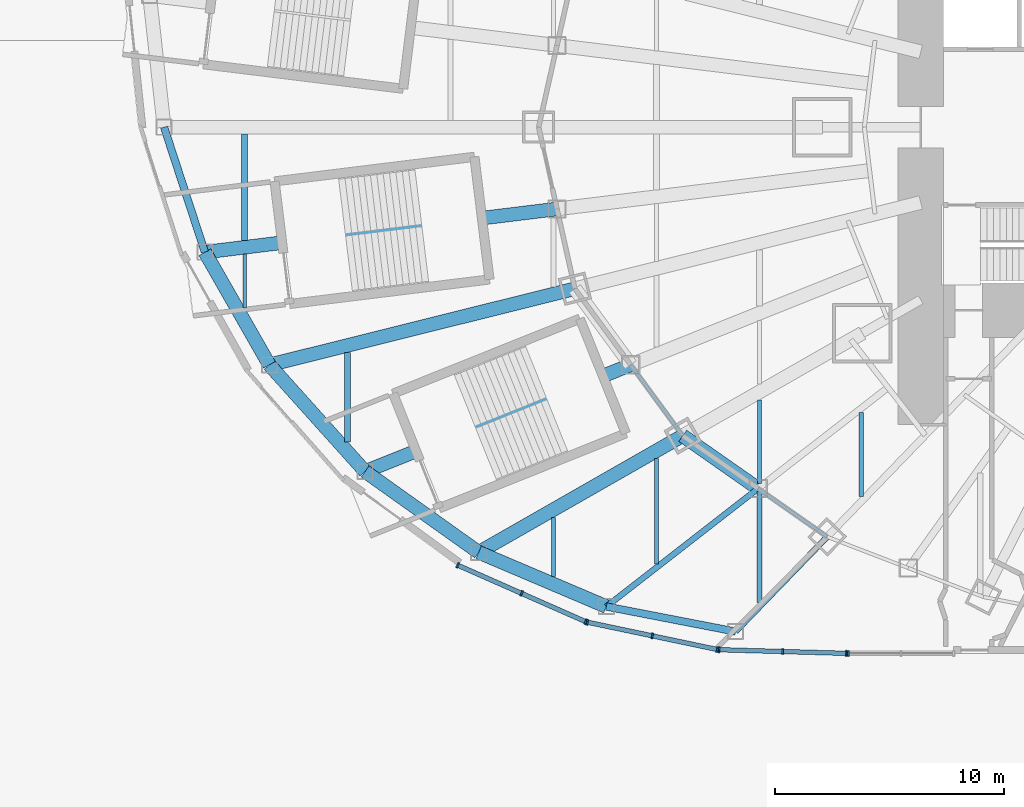
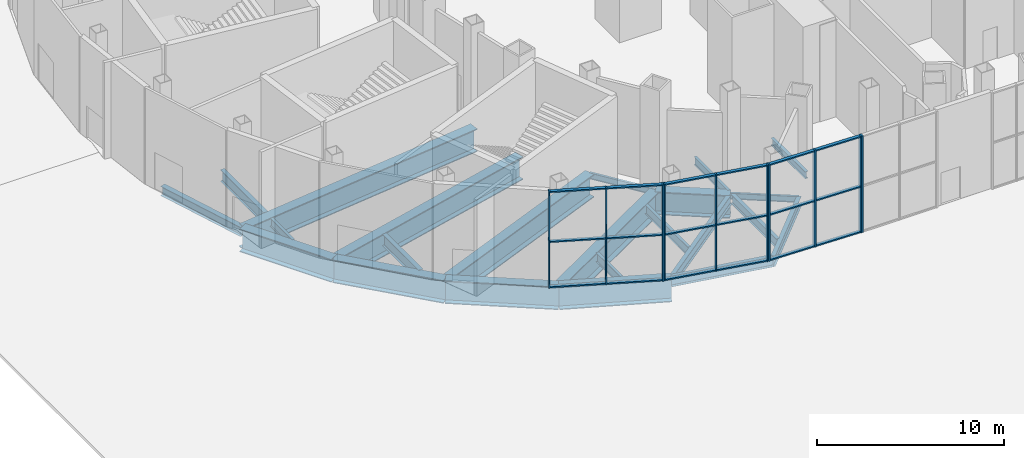
# One storey, part 2 of 47: 28 members, 23 beams, 4 elements without a shape of their own.
"""IFC4 building model written with IfcOpenShell, lengths in metres."""

from ifc_helpers import new_model, si_unit, direction, frame, origin, origin_2d, place, context, subcontext, project, spatial, rectangle, i_section, extrude, material, material_profile, profile_set, type_object, element, aggregate, save


model = new_model("IFC4")

# Units and contexts
model_context = context("Model", 3, precision=1e-05, world=origin(), true_north=direction((0.0, 1.0)))
body_context = subcontext(model_context, "Body", "Model", "MODEL_VIEW")
ifc_project = project(units=[si_unit("LENGTHUNIT", "METRE"), si_unit("AREAUNIT", "SQUARE_METRE"), si_unit("VOLUMEUNIT", "CUBIC_METRE"), si_unit("PLANEANGLEUNIT", "RADIAN"), si_unit("MASSUNIT", "GRAM", prefix="KILO")], contexts=[model_context])

# Site, building, storey
site_placement = place(None, origin())
site = spatial("IfcSite", under=ifc_project, at=site_placement, CompositionType="ELEMENT")
building_placement = place(site_placement, origin())
building = spatial("IfcBuilding", under=site, at=building_placement, Name="Lantaw Convention Tower", CompositionType="ELEMENT")
storey_placement = place(building_placement, origin())
storey = spatial("IfcBuildingStorey", under=building, at=storey_placement, Name="L00", CompositionType="ELEMENT", Elevation=0.0)

# Beams
ifc_material_1 = material(Name="Steel ASTM A572 Grade 50", Category="steel")
ifc_material_profile_1 = material_profile(ifc_material_1, i_section(OverallWidth=0.60009765625, OverallDepth=1.5, WebThickness=0.02490234375, FlangeThickness=0.06005859375, at=origin_2d()), Name="PG1500X600X25X60")
ifc_profile_set_1 = profile_set([ifc_material_profile_1], Name="Steel ASTM A572 Grade 50")
beam_type_1 = type_object("IfcBeamType", Name="Beam E PG1500X600X25X60", PredefinedType="SPANDREL", material=ifc_profile_set_1)
beam_1_placement = place(storey_placement, frame((-23.60498046875, -13.488525390625, -1.199951171875), z_axis=(0.819442856133, -0.573160889744, 0.0), x_axis=(0.573160889744, 0.819442856133, 0.0)))
element("IfcBeam", 1, at=beam_1_placement, inside=storey, type_object=beam_type_1, Name="Edge beam 15", PredefinedType="SPANDREL", context=body_context, shape_type="SweptSolid", body=[
    extrude(i_section(OverallWidth=0.60009765625, OverallDepth=1.5, WebThickness=0.02490234375, FlangeThickness=0.06005859375, at=origin_2d()), origin(), (0.0, 0.0, 1.0), 4.022705078125),
])
beam_2_placement = place(storey_placement, frame((-44.488525390625, -5.46240234375, -1.199951171875), z_axis=(0.496180629465, -0.868219317306, 0.0), x_axis=(0.868219317306, 0.496180629465, 0.0)))
element("IfcBeam", 2, at=beam_2_placement, inside=storey, type_object=beam_type_1, Name="Podium edge beam B12", PredefinedType="SPANDREL", context=body_context, shape_type="SweptSolid", body=[
    extrude(i_section(OverallWidth=0.60009765625, OverallDepth=1.5, WebThickness=0.02490234375, FlangeThickness=0.06005859375, at=origin_2d()), origin(), (0.0, 0.0, 1.0), 5.67578125),
])
beam_3_placement = place(storey_placement, frame((-41.67236328125, -10.39013671875, -1.199951171875), z_axis=(0.668363614772, -0.74383471178, 0.0), x_axis=(0.74383471178, 0.668363614772, 0.0)))
element("IfcBeam", 3, at=beam_3_placement, inside=storey, type_object=beam_type_1, Name="Podium edge beam R13", PredefinedType="SPANDREL", context=body_context, shape_type="SweptSolid", body=[
    extrude(i_section(OverallWidth=0.60009765625, OverallDepth=1.5, WebThickness=0.02490234375, FlangeThickness=0.06005859375, at=origin_2d()), origin(), (0.0, 0.0, 1.0), 6.2626953125),
])
beam_4_placement = place(storey_placement, frame((-37.486572265625, -15.048583984375, -1.199951171875), z_axis=(0.814722795246, -0.579850641895, 0.0), x_axis=(0.579850641895, 0.814722795246, 0.0)))
element("IfcBeam", 4, at=beam_4_placement, inside=storey, type_object=beam_type_1, Name="Podium edge beam B13", PredefinedType="SPANDREL", context=body_context, shape_type="SweptSolid", body=[
    extrude(i_section(OverallWidth=0.60009765625, OverallDepth=1.5, WebThickness=0.02490234375, FlangeThickness=0.06005859375, at=origin_2d()), origin(), (0.0, 0.0, 1.0), 6.095458984375),
])
beam_5_placement = place(storey_placement, frame((-32.5205078125, -18.5830078125, -1.199951171875), z_axis=(0.920324392734, -0.391155994636, 0.0), x_axis=(0.391155994636, 0.920324392734, 0.0)))
element("IfcBeam", 5, at=beam_5_placement, inside=storey, type_object=beam_type_1, Name="Podium edge beam R14", PredefinedType="SPANDREL", context=body_context, shape_type="SweptSolid", body=[
    extrude(i_section(OverallWidth=0.60009765625, OverallDepth=1.5, WebThickness=0.02490234375, FlangeThickness=0.06005859375, at=origin_2d()), origin(), (0.0, 0.0, 1.0), 6.060546875),
])
ifc_material_2 = material(Name="Steel ASTM A992", Category="steel")
ifc_material_profile_2 = material_profile(ifc_material_2, i_section(OverallWidth=0.140380859375, OverallDepth=0.40380859375, WebThickness=0.007080078125, FlangeThickness=0.01123046875, FilletRadius=0.01025390625, at=origin_2d()), Name="W16X31")
ifc_profile_set_2 = profile_set([ifc_material_profile_2], Name="Steel ASTM A992")
beam_type_2 = type_object("IfcBeamType", Name="Beam E W16X31", PredefinedType="SPANDREL", material=ifc_profile_set_2)
beam_6_placement = place(storey_placement, frame((-25.8779296875, -10.388427734375, -0.65185546875), z_axis=(0.591286566758, -0.806461527893, 0.0), x_axis=(0.806461527893, 0.591286566758, 0.0)))
element("IfcBeam", 6, at=beam_6_placement, inside=storey, type_object=beam_type_2, Name="Edge beam 14", PredefinedType="SPANDREL", context=body_context, shape_type="SweptSolid", body=[
    extrude(i_section(OverallWidth=0.140380859375, OverallDepth=0.40380859375, WebThickness=0.007080078125, FlangeThickness=0.01123046875, FilletRadius=0.01025390625, at=origin_2d()), origin(), (0.0, 0.0, 1.0), 3.843994140625),
])
beam_7_placement = place(storey_placement, frame((-20.30859375, -15.794189453125, -0.65185546875), z_axis=(0.819409395821, -0.573208724672, 0.0), x_axis=(0.573208724672, 0.819409395821, 0.0)))
element("IfcBeam", 7, at=beam_7_placement, inside=storey, type_object=beam_type_2, Name="Edge beam 15", PredefinedType="SPANDREL", context=body_context, shape_type="SweptSolid", body=[
    extrude(i_section(OverallWidth=0.140380859375, OverallDepth=0.40380859375, WebThickness=0.007080078125, FlangeThickness=0.01123046875, FilletRadius=0.01025390625, at=origin_2d()), origin(), (0.0, 0.0, 1.0), 3.682861328125),
])
ifc_material_profile_3 = material_profile(ifc_material_2, i_section(OverallWidth=0.3251953125, OverallDepth=0.612060546875, WebThickness=0.0126953125, FlangeThickness=0.01904296875, FilletRadius=0.0126953125, at=origin_2d()), Name="W24X104")
ifc_profile_set_3 = profile_set([ifc_material_profile_3], Name="Steel ASTM A992")
beam_type_3 = type_object("IfcBeamType", Name="Beam E W24X104", PredefinedType="SPANDREL", material=ifc_profile_set_3)
beam_8_placement = place(storey_placement, frame((-46.2724609375, 0.0, -0.756103515625), z_axis=(0.310448009473, -0.950590360468, 0.0), x_axis=(0.950590360468, 0.310448009473, 0.0)))
element("IfcBeam", 8, at=beam_8_placement, inside=storey, type_object=beam_type_3, Name="Podium edge beam R12", PredefinedType="SPANDREL", context=body_context, shape_type="SweptSolid", body=[
    extrude(i_section(OverallWidth=0.3251953125, OverallDepth=0.612060546875, WebThickness=0.0126953125, FlangeThickness=0.01904296875, FilletRadius=0.0126953125, at=origin_2d()), origin(), (0.0, 0.0, 1.0), 5.746337890625),
])
beam_9_placement = place(storey_placement, frame((-26.94287109375, -20.95361328125, -0.756103515625), z_axis=(0.981786485539, -0.18998762279, 0.0), x_axis=(0.18998762279, 0.981786485539, 0.0)))
element("IfcBeam", 9, at=beam_9_placement, inside=storey, type_object=beam_type_3, Name="Podium edge beam B14", PredefinedType="SPANDREL", context=body_context, shape_type="SweptSolid", body=[
    extrude(i_section(OverallWidth=0.3251953125, OverallDepth=0.612060546875, WebThickness=0.0126953125, FlangeThickness=0.01904296875, FilletRadius=0.0126953125, at=origin_2d()), origin(), (0.0, 0.0, 1.0), 5.7568359375),
])
ifc_material_profile_4 = material_profile(ifc_material_2, i_section(OverallWidth=0.1904296875, OverallDepth=0.457275390625, WebThickness=0.009033203125, FlangeThickness=0.014404296875, FilletRadius=0.01025390625, at=origin_2d()), Name="W18X50")
ifc_profile_set_4 = profile_set([ifc_material_profile_4], Name="Steel ASTM A992")
beam_type_4 = type_object("IfcBeamType", Name="Beam J W18X50", PredefinedType="JOIST", material=ifc_profile_set_4)
beam_10_placement = place(storey_placement, frame((-15.800048828125, -16.14013671875, -0.6787109375), z_axis=(0.0, 1.0, 0.0), x_axis=(-1.0, 0.0, 0.0)))
element("IfcBeam", 10, at=beam_10_placement, inside=storey, type_object=beam_type_4, Name="Floor joist", PredefinedType="JOIST", context=body_context, shape_type="SweptSolid", body=[
    extrude(i_section(OverallWidth=0.1904296875, OverallDepth=0.457275390625, WebThickness=0.009033203125, FlangeThickness=0.014404296875, FilletRadius=0.01025390625, at=origin_2d()), origin(), (0.0, 0.0, 1.0), 3.667236328125),
])
ifc_material_profile_5 = material_profile(ifc_material_2, i_section(OverallWidth=0.1650390625, OverallDepth=0.52587890625, WebThickness=0.0087890625, FlangeThickness=0.011474609375, FilletRadius=0.0126953125, at=origin_2d()), Name="W21X44")
ifc_profile_set_5 = profile_set([ifc_material_profile_5], Name="Steel ASTM A992")
beam_type_5 = type_object("IfcBeamType", Name="Beam J W21X44", PredefinedType="JOIST", material=ifc_profile_set_5)
beam_11_placement = place(storey_placement, frame((-20.25, -15.5634765625, -0.712890625), z_axis=(0.0, 1.0, 0.0), x_axis=(-1.0, 0.0, 0.0)))
element("IfcBeam", 11, at=beam_11_placement, inside=storey, type_object=beam_type_5, Name="Floor joist", PredefinedType="JOIST", context=body_context, shape_type="SweptSolid", body=[
    extrude(i_section(OverallWidth=0.1650390625, OverallDepth=0.52587890625, WebThickness=0.0087890625, FlangeThickness=0.011474609375, FilletRadius=0.0126953125, at=origin_2d()), origin(), (0.0, 0.0, 1.0), 3.646484375),
])
ifc_material_profile_6 = material_profile(ifc_material_2, i_section(OverallWidth=0.165771484375, OverallDepth=0.5283203125, WebThickness=0.009765625, FlangeThickness=0.013671875, FilletRadius=0.012939453125, at=origin_2d()), Name="W21X50")
ifc_profile_set_6 = profile_set([ifc_material_profile_6], Name="Steel ASTM A992")
beam_type_6 = type_object("IfcBeamType", Name="Beam J W21X50", PredefinedType="JOIST", material=ifc_profile_set_6)
beam_12_placement = place(storey_placement, frame((-42.75, -7.89990234375, -0.714111328125), z_axis=(0.0, 1.0, 0.0), x_axis=(-1.0, 0.0, 0.0)))
element("IfcBeam", 12, at=beam_12_placement, inside=storey, type_object=beam_type_6, Name="Floor joist", PredefinedType="JOIST", context=body_context, shape_type="SweptSolid", body=[
    extrude(i_section(OverallWidth=0.165771484375, OverallDepth=0.5283203125, WebThickness=0.009765625, FlangeThickness=0.013671875, FilletRadius=0.012939453125, at=origin_2d()), origin(), (0.0, 0.0, 1.0), 2.3486328125),
])
ifc_material_profile_7 = material_profile(ifc_material_2, i_section(OverallWidth=0.177978515625, OverallDepth=0.599365234375, WebThickness=0.010009765625, FlangeThickness=0.012939453125, FilletRadius=0.012939453125, at=origin_2d()), Name="W24X55")
ifc_profile_set_7 = profile_set([ifc_material_profile_7], Name="Steel ASTM A992")
beam_type_7 = type_object("IfcBeamType", Name="Beam J W24X55", PredefinedType="JOIST", material=ifc_profile_set_7)
beam_13_placement = place(storey_placement, frame((-29.25, -19.647216796875, -0.749755859375), z_axis=(0.0, 1.0, 0.0), x_axis=(-1.0, 0.0, 0.0)))
element("IfcBeam", 13, at=beam_13_placement, inside=storey, type_object=beam_type_7, Name="Floor joist", PredefinedType="JOIST", context=body_context, shape_type="SweptSolid", body=[
    extrude(i_section(OverallWidth=0.177978515625, OverallDepth=0.599365234375, WebThickness=0.010009765625, FlangeThickness=0.012939453125, FilletRadius=0.012939453125, at=origin_2d()), origin(), (0.0, 0.0, 1.0), 2.58740234375),
])
beam_14_placement = place(storey_placement, frame((-24.75, -19.08740234375, -0.749755859375), z_axis=(0.0, 1.0, 0.0), x_axis=(-1.0, 0.0, 0.0)))
element("IfcBeam", 14, at=beam_14_placement, inside=storey, type_object=beam_type_7, Name="Floor joist", PredefinedType="JOIST", context=body_context, shape_type="SweptSolid", body=[
    extrude(i_section(OverallWidth=0.177978515625, OverallDepth=0.599365234375, WebThickness=0.010009765625, FlangeThickness=0.012939453125, FilletRadius=0.012939453125, at=origin_2d()), origin(), (0.0, 0.0, 1.0), 4.59912109375),
])
ifc_material_profile_8 = material_profile(ifc_material_2, i_section(OverallWidth=0.22900390625, OverallDepth=0.612060546875, WebThickness=0.011962890625, FlangeThickness=0.01953125, FilletRadius=0.0126953125, at=origin_2d()), Name="W24X84")
ifc_profile_set_8 = profile_set([ifc_material_profile_8], Name="Steel ASTM A992")
beam_type_8 = type_object("IfcBeamType", Name="Beam J W24X84", PredefinedType="JOIST", material=ifc_profile_set_8)
beam_15_placement = place(storey_placement, frame((-20.25, -20.78662109375, -0.756103515625), z_axis=(0.0, 1.0, 0.0), x_axis=(-1.0, 0.0, 0.0)))
element("IfcBeam", 15, at=beam_15_placement, inside=storey, type_object=beam_type_8, Name="Floor joist", PredefinedType="JOIST", context=body_context, shape_type="SweptSolid", body=[
    extrude(i_section(OverallWidth=0.22900390625, OverallDepth=0.612060546875, WebThickness=0.011962890625, FlangeThickness=0.01953125, FilletRadius=0.0126953125, at=origin_2d()), origin(), (0.0, 0.0, 1.0), 4.86572265625),
])
ifc_material_profile_9 = material_profile(ifc_material_2, i_section(OverallWidth=0.2666015625, OverallDepth=0.7568359375, WebThickness=0.013916015625, FlangeThickness=0.019287109375, FilletRadius=0.0126953125, at=origin_2d()), Name="W30X108")
ifc_profile_set_9 = profile_set([ifc_material_profile_9], Name="Steel ASTM A992")
beam_type_9 = type_object("IfcBeamType", Name="Beam J W30X108", PredefinedType="JOIST", material=ifc_profile_set_9)
beam_16_placement = place(storey_placement, frame((-42.75, -4.94677734375, -0.828369140625), z_axis=(0.0, 1.0, 0.0), x_axis=(-1.0, 0.0, 0.0)))
element("IfcBeam", 16, at=beam_16_placement, inside=storey, type_object=beam_type_9, Name="Floor joist", PredefinedType="JOIST", context=body_context, shape_type="SweptSolid", body=[
    extrude(i_section(OverallWidth=0.2666015625, OverallDepth=0.7568359375, WebThickness=0.013916015625, FlangeThickness=0.019287109375, FilletRadius=0.0126953125, at=origin_2d()), origin(), (0.0, 0.0, 1.0), 4.646728515625),
])
beam_17_placement = place(storey_placement, frame((-38.25, -13.75, -0.828369140625), z_axis=(0.0, 1.0, 0.0), x_axis=(-1.0, 0.0, 0.0)))
element("IfcBeam", 17, at=beam_17_placement, inside=storey, type_object=beam_type_9, Name="Floor joist", PredefinedType="JOIST", context=body_context, shape_type="SweptSolid", body=[
    extrude(i_section(OverallWidth=0.2666015625, OverallDepth=0.7568359375, WebThickness=0.013916015625, FlangeThickness=0.019287109375, FilletRadius=0.0126953125, at=origin_2d()), origin(), (0.0, 0.0, 1.0), 3.904052734375),
])
ifc_material_profile_10 = material_profile(ifc_material_1, i_section(OverallWidth=0.60009765625, OverallDepth=1.5, WebThickness=0.02490234375, FlangeThickness=0.06005859375, at=origin_2d()), Name="PG1500X600X25X60")
ifc_profile_set_10 = profile_set([ifc_material_profile_10], Name="Steel ASTM A572 Grade 50")
beam_type_10 = type_object("IfcBeamType", Name="Beam PG PG1500X600X25X60", PredefinedType="BEAM", material=ifc_profile_set_10)
beam_18_placement = place(storey_placement, frame((-28.31787109375, -7.060302734375, -1.199951171875), z_axis=(-0.97029256898, -0.24193455847, 0.0), x_axis=(0.24193455847, -0.97029256898, 0.0)))
element("IfcBeam", 18, at=beam_18_placement, inside=storey, type_object=beam_type_10, Name="Podium girder PR14", PredefinedType="BEAM", context=body_context, shape_type="SweptSolid", body=[
    extrude(i_section(OverallWidth=0.60009765625, OverallDepth=1.5, WebThickness=0.02490234375, FlangeThickness=0.06005859375, at=origin_2d()), origin(), (0.0, 0.0, 1.0), 13.763427734375),
])
beam_19_placement = place(storey_placement, frame((-23.60498046875, -13.488525390625, -1.199951171875), z_axis=(-0.868247531483, -0.4961312569, 0.0), x_axis=(0.4961312569, -0.868247531483, 0.0)))
element("IfcBeam", 19, at=beam_19_placement, inside=storey, type_object=beam_type_10, Name="Podium girder PR15", PredefinedType="BEAM", context=body_context, shape_type="SweptSolid", body=[
    extrude(i_section(OverallWidth=0.60009765625, OverallDepth=1.5, WebThickness=0.02490234375, FlangeThickness=0.06005859375, at=origin_2d()), origin(), (0.0, 0.0, 1.0), 10.268310546875),
])
beam_20_placement = place(storey_placement, frame((-29.099365234375, -3.572998046875, -1.199951171875), z_axis=(-0.992547298236, -0.121860004776, 0.0), x_axis=(0.121860004776, -0.992547298236, 0.0)))
element("IfcBeam", 20, at=beam_20_placement, inside=storey, type_object=beam_type_10, Name="Podium girder PB13", PredefinedType="BEAM", context=body_context, shape_type="SweptSolid", body=[
    extrude(i_section(OverallWidth=0.60009765625, OverallDepth=1.5, WebThickness=0.02490234375, FlangeThickness=0.06005859375, at=origin_2d()), origin(), (0.0, 0.0, 1.0), 15.504638671875),
])
beam_21_placement = place(storey_placement, frame((-25.8779296875, -10.388427734375, -1.199951171875), z_axis=(-0.928015644767, -0.372541223313, 0.0), x_axis=(0.372541223313, -0.928015644767, 0.0)))
element("IfcBeam", 21, at=beam_21_placement, inside=storey, type_object=beam_type_10, Name="Podium girder PB14", PredefinedType="BEAM", context=body_context, shape_type="SweptSolid", body=[
    extrude(i_section(OverallWidth=0.60009765625, OverallDepth=1.5, WebThickness=0.02490234375, FlangeThickness=0.06005859375, at=origin_2d()), origin(), (0.0, 0.0, 1.0), 12.509033203125),
])
ifc_material_profile_11 = material_profile(ifc_material_2, i_section(OverallWidth=0.25390625, OverallDepth=0.683349609375, WebThickness=0.012451171875, FlangeThickness=0.01904296875, FilletRadius=0.01513671875, at=origin_2d()), Name="W27X94")
ifc_profile_set_11 = profile_set([ifc_material_profile_11], Name="Steel ASTM A992")
beam_type_11 = type_object("IfcBeamType", Name="Beam PG W27X94", PredefinedType="BEAM", material=ifc_profile_set_11)
beam_22_placement = place(storey_placement, frame((-17.290771484375, -17.9052734375, -0.791748046875), z_axis=(-0.694661096328, -0.719337167987, 0.0), x_axis=(0.719337167987, -0.694661096328, 0.0)))
element("IfcBeam", 22, at=beam_22_placement, inside=storey, type_object=beam_type_11, Name="Podium girder PR16", PredefinedType="BEAM", context=body_context, shape_type="SweptSolid", body=[
    extrude(i_section(OverallWidth=0.25390625, OverallDepth=0.683349609375, WebThickness=0.012451171875, FlangeThickness=0.01904296875, FilletRadius=0.01513671875, at=origin_2d()), origin(), (0.0, 0.0, 1.0), 5.75830078125),
])
beam_23_placement = place(storey_placement, frame((-20.30859375, -15.794189453125, -0.791748046875), z_axis=(-0.789385064276, -0.613898379456, 0.0), x_axis=(0.613898379456, -0.789385064276, 0.0)))
element("IfcBeam", 23, at=beam_23_placement, inside=storey, type_object=beam_type_11, Name="Podium girder PB15", PredefinedType="BEAM", context=body_context, shape_type="SweptSolid", body=[
    extrude(i_section(OverallWidth=0.25390625, OverallDepth=0.683349609375, WebThickness=0.012451171875, FlangeThickness=0.01904296875, FilletRadius=0.01513671875, at=origin_2d()), origin(), (0.0, 0.0, 1.0), 8.404296875),
])

# Curtain wall, members
ifc_material_3 = material(Name="Aluminium framed curtain wall", Category="aluminium")
curtain_wall_type = type_object("IfcCurtainWallType", Name="Podium storefront curtain wall, pale aluminium", PredefinedType="USERDEFINED", material=ifc_material_3)
curtain_wall_1_placement = place(storey_placement, origin())
curtain_wall_1 = element("IfcCurtainWall", 24, at=curtain_wall_1_placement, inside=storey, type_object=curtain_wall_type, Name="Podium storefront curtain wall, pale aluminium L00", ObjectType="STOREFRONT", PredefinedType="USERDEFINED")
ifc_material_4 = material(Name="Aluminium 6063-T6", Category="aluminium")
ifc_material_profile_12 = material_profile(ifc_material_4, rectangle(XDim=0.25, YDim=0.080078125, at=origin_2d()), Name="CW-P mullion 80x250")
ifc_profile_set_12 = profile_set([ifc_material_profile_12], Name="Aluminium 6063-T6")
member_type_1 = type_object("IfcMemberType", Name="CW-P mullion 80x250", PredefinedType="MULLION", material=ifc_profile_set_12)
member_1_placement = place(storey_placement, frame((-33.43896484375, -19.14501953125, 0.0), z_axis=(0.0, 0.0, 1.0), x_axis=(0.403802456829, 0.914846203391, 0.0)))
member_1 = element("IfcMember", 25, at=member_1_placement, type_object=member_type_1, Name="CW-P mullion 1", PredefinedType="MULLION", context=body_context, shape_type="SweptSolid", body=[
    extrude(rectangle(XDim=0.25, YDim=0.080078125, at=origin_2d()), origin(), (0.0, 0.0, 1.0), 6.300048828125),
])
member_2_placement = place(storey_placement, frame((-30.643310546875, -20.37890625, 0.0), z_axis=(0.0, 0.0, 1.0), x_axis=(0.403802456829, 0.914846203391, 0.0)))
member_2 = element("IfcMember", 26, at=member_2_placement, type_object=member_type_1, Name="CW-P mullion 2", PredefinedType="MULLION", context=body_context, shape_type="SweptSolid", body=[
    extrude(rectangle(XDim=0.25, YDim=0.080078125, at=origin_2d()), origin(), (0.0, 0.0, 1.0), 6.300048828125),
])
member_3_placement = place(storey_placement, frame((-27.847900390625, -21.61279296875, 0.0), z_axis=(0.0, 0.0, 1.0), x_axis=(0.403802456829, 0.914846203391, 0.0)))
member_3 = element("IfcMember", 27, at=member_3_placement, type_object=member_type_1, Name="CW-P mullion 3", PredefinedType="MULLION", context=body_context, shape_type="SweptSolid", body=[
    extrude(rectangle(XDim=0.25, YDim=0.080078125, at=origin_2d()), origin(), (0.0, 0.0, 1.0), 6.300048828125),
])

curtain_wall_2_placement = place(storey_placement, origin())
curtain_wall_2 = element("IfcCurtainWall", 28, at=curtain_wall_2_placement, inside=storey, type_object=curtain_wall_type, Name="Podium storefront curtain wall, pale aluminium L00", ObjectType="STOREFRONT", PredefinedType="USERDEFINED")
member_4_placement = place(storey_placement, frame((-27.77197265625, -21.63720703125, 0.0), z_axis=(0.0, 0.0, 1.0), x_axis=(0.205650386122, 0.978625525259, 0.0)))
member_4 = element("IfcMember", 29, at=member_4_placement, type_object=member_type_1, Name="CW-P mullion 1", PredefinedType="MULLION", context=body_context, shape_type="SweptSolid", body=[
    extrude(rectangle(XDim=0.25, YDim=0.080078125, at=origin_2d()), origin(), (0.0, 0.0, 1.0), 6.300048828125),
])
member_5_placement = place(storey_placement, frame((-24.93310546875, -22.23388671875, 0.0), z_axis=(0.0, 0.0, 1.0), x_axis=(0.205650386122, 0.978625525259, 0.0)))
member_5 = element("IfcMember", 30, at=member_5_placement, type_object=member_type_1, Name="CW-P mullion 2", PredefinedType="MULLION", context=body_context, shape_type="SweptSolid", body=[
    extrude(rectangle(XDim=0.25, YDim=0.080078125, at=origin_2d()), origin(), (0.0, 0.0, 1.0), 6.300048828125),
])
member_6_placement = place(storey_placement, frame((-22.09423828125, -22.830322265625, 0.0), z_axis=(0.0, 0.0, 1.0), x_axis=(0.205650386122, 0.978625525259, 0.0)))
member_6 = element("IfcMember", 31, at=member_6_placement, type_object=member_type_1, Name="CW-P mullion 3", PredefinedType="MULLION", context=body_context, shape_type="SweptSolid", body=[
    extrude(rectangle(XDim=0.25, YDim=0.080078125, at=origin_2d()), origin(), (0.0, 0.0, 1.0), 6.300048828125),
])

curtain_wall_3_placement = place(storey_placement, origin())
curtain_wall_3 = element("IfcCurtainWall", 32, at=curtain_wall_3_placement, inside=storey, type_object=curtain_wall_type, Name="Podium storefront curtain wall, pale aluminium L00", ObjectType="STOREFRONT", PredefinedType="USERDEFINED")
member_7_placement = place(storey_placement, frame((-22.01513671875, -22.83984375, 0.0), z_axis=(0.0, 0.0, 1.0), x_axis=(0.028552206976, 0.99959230263, 0.0)))
member_7 = element("IfcMember", 33, at=member_7_placement, type_object=member_type_1, Name="CW-P mullion 1", PredefinedType="MULLION", context=body_context, shape_type="SweptSolid", body=[
    extrude(rectangle(XDim=0.25, YDim=0.080078125, at=origin_2d()), origin(), (0.0, 0.0, 1.0), 6.300048828125),
])
member_8_placement = place(storey_placement, frame((-19.23046875, -22.91943359375, 0.0), z_axis=(0.0, 0.0, 1.0), x_axis=(0.028552206976, 0.99959230263, 0.0)))
member_8 = element("IfcMember", 34, at=member_8_placement, type_object=member_type_1, Name="CW-P mullion 2", PredefinedType="MULLION", context=body_context, shape_type="SweptSolid", body=[
    extrude(rectangle(XDim=0.25, YDim=0.080078125, at=origin_2d()), origin(), (0.0, 0.0, 1.0), 6.300048828125),
])
member_9_placement = place(storey_placement, frame((-16.44580078125, -22.998779296875, 0.0), z_axis=(0.0, 0.0, 1.0), x_axis=(0.028552206976, 0.99959230263, 0.0)))
member_9 = element("IfcMember", 35, at=member_9_placement, type_object=member_type_1, Name="CW-P mullion 3", PredefinedType="MULLION", context=body_context, shape_type="SweptSolid", body=[
    extrude(rectangle(XDim=0.25, YDim=0.080078125, at=origin_2d()), origin(), (0.0, 0.0, 1.0), 6.300048828125),
])

# Curtain wall, member
curtain_wall_4_placement = place(storey_placement, origin())
curtain_wall_4 = element("IfcCurtainWall", 36, at=curtain_wall_4_placement, inside=storey, type_object=curtain_wall_type, Name="Podium storefront curtain wall, pale aluminium L00", ObjectType="STOREFRONT", PredefinedType="USERDEFINED")
member_10_placement = place(storey_placement, frame((-16.36572265625, -23.0, 0.0), z_axis=(0.0, 0.0, 1.0), x_axis=(0.0, 1.0, 0.0)))
member_10 = element("IfcMember", 37, at=member_10_placement, type_object=member_type_1, Name="CW-P mullion 1", PredefinedType="MULLION", context=body_context, shape_type="SweptSolid", body=[
    extrude(rectangle(XDim=0.25, YDim=0.080078125, at=origin_2d()), origin(), (0.0, 0.0, 1.0), 6.300048828125),
])
aggregate(curtain_wall_4, [member_10])

# Member
ifc_material_profile_13 = material_profile(ifc_material_4, rectangle(XDim=0.199951171875, YDim=0.080078125, at=origin_2d()), Name="CW-P transom 80x200")
ifc_profile_set_13 = profile_set([ifc_material_profile_13], Name="Aluminium 6063-T6")
member_type_2 = type_object("IfcMemberType", Name="CW-P transom 80x200", PredefinedType="USERDEFINED", material=ifc_profile_set_13)
member_11_placement = place(storey_placement, frame((-33.40234375, -19.1611328125, 0.0400390625), z_axis=(0.914843824184, -0.403807847066, 0.0), x_axis=(0.403807847066, 0.914843824184, 0.0)))
member_11 = element("IfcMember", 38, at=member_11_placement, type_object=member_type_2, Name="CW-P transom 1.1", ObjectType="TRANSOM", PredefinedType="USERDEFINED", context=body_context, shape_type="SweptSolid", body=[
    extrude(rectangle(XDim=0.199951171875, YDim=0.080078125, at=origin_2d()), origin(), (0.0, 0.0, 1.0), 2.975830078125),
])

member_12_placement = place(storey_placement, frame((-33.40234375, -19.1611328125, 3.0), z_axis=(0.914843824184, -0.403807847066, 0.0), x_axis=(0.403807847066, 0.914843824184, 0.0)))
member_12 = element("IfcMember", 39, at=member_12_placement, type_object=member_type_2, Name="CW-P transom 1.2", ObjectType="TRANSOM", PredefinedType="USERDEFINED", context=body_context, shape_type="SweptSolid", body=[
    extrude(rectangle(XDim=0.199951171875, YDim=0.080078125, at=origin_2d()), origin(), (0.0, 0.0, 1.0), 2.975830078125),
])

member_13_placement = place(storey_placement, frame((-33.40234375, -19.1611328125, 6.260009765625), z_axis=(0.914843824184, -0.403807847066, 0.0), x_axis=(0.403807847066, 0.914843824184, 0.0)))
member_13 = element("IfcMember", 40, at=member_13_placement, type_object=member_type_2, Name="CW-P transom 1.3", ObjectType="TRANSOM", PredefinedType="USERDEFINED", context=body_context, shape_type="SweptSolid", body=[
    extrude(rectangle(XDim=0.199951171875, YDim=0.080078125, at=origin_2d()), origin(), (0.0, 0.0, 1.0), 2.975830078125),
])

member_14_placement = place(storey_placement, frame((-30.606689453125, -20.39501953125, 0.0400390625), z_axis=(0.914830444941, -0.403838156951, 0.0), x_axis=(0.403838156951, 0.914830444941, 0.0)))
member_14 = element("IfcMember", 41, at=member_14_placement, type_object=member_type_2, Name="CW-P transom 2.1", ObjectType="TRANSOM", PredefinedType="USERDEFINED", context=body_context, shape_type="SweptSolid", body=[
    extrude(rectangle(XDim=0.199951171875, YDim=0.080078125, at=origin_2d()), origin(), (0.0, 0.0, 1.0), 2.9755859375),
])

member_15_placement = place(storey_placement, frame((-30.606689453125, -20.39501953125, 3.0), z_axis=(0.914830444941, -0.403838156951, 0.0), x_axis=(0.403838156951, 0.914830444941, 0.0)))
member_15 = element("IfcMember", 42, at=member_15_placement, type_object=member_type_2, Name="CW-P transom 2.2", ObjectType="TRANSOM", PredefinedType="USERDEFINED", context=body_context, shape_type="SweptSolid", body=[
    extrude(rectangle(XDim=0.199951171875, YDim=0.080078125, at=origin_2d()), origin(), (0.0, 0.0, 1.0), 2.9755859375),
])

member_16_placement = place(storey_placement, frame((-30.606689453125, -20.39501953125, 6.260009765625), z_axis=(0.914830444941, -0.403838156951, 0.0), x_axis=(0.403838156951, 0.914830444941, 0.0)))
member_16 = element("IfcMember", 43, at=member_16_placement, type_object=member_type_2, Name="CW-P transom 2.3", ObjectType="TRANSOM", PredefinedType="USERDEFINED", context=body_context, shape_type="SweptSolid", body=[
    extrude(rectangle(XDim=0.199951171875, YDim=0.080078125, at=origin_2d()), origin(), (0.0, 0.0, 1.0), 2.9755859375),
])

aggregate(curtain_wall_1, [member_1, member_2, member_3, member_11, member_12, member_13, member_14, member_15, member_16])

member_17_placement = place(storey_placement, frame((-27.73291015625, -21.6455078125, 0.0400390625), z_axis=(0.978630513975, -0.20562664496, 0.0), x_axis=(0.20562664496, 0.978630513975, 0.0)))
member_17 = element("IfcMember", 44, at=member_17_placement, type_object=member_type_2, Name="CW-P transom 1.1", ObjectType="TRANSOM", PredefinedType="USERDEFINED", context=body_context, shape_type="SweptSolid", body=[
    extrude(rectangle(XDim=0.199951171875, YDim=0.080078125, at=origin_2d()), origin(), (0.0, 0.0, 1.0), 2.821044921875),
])

member_18_placement = place(storey_placement, frame((-27.73291015625, -21.6455078125, 3.0), z_axis=(0.978630513975, -0.20562664496, 0.0), x_axis=(0.20562664496, 0.978630513975, 0.0)))
member_18 = element("IfcMember", 45, at=member_18_placement, type_object=member_type_2, Name="CW-P transom 1.2", ObjectType="TRANSOM", PredefinedType="USERDEFINED", context=body_context, shape_type="SweptSolid", body=[
    extrude(rectangle(XDim=0.199951171875, YDim=0.080078125, at=origin_2d()), origin(), (0.0, 0.0, 1.0), 2.821044921875),
])

member_19_placement = place(storey_placement, frame((-27.73291015625, -21.6455078125, 6.260009765625), z_axis=(0.978630513975, -0.20562664496, 0.0), x_axis=(0.20562664496, 0.978630513975, 0.0)))
member_19 = element("IfcMember", 46, at=member_19_placement, type_object=member_type_2, Name="CW-P transom 1.3", ObjectType="TRANSOM", PredefinedType="USERDEFINED", context=body_context, shape_type="SweptSolid", body=[
    extrude(rectangle(XDim=0.199951171875, YDim=0.080078125, at=origin_2d()), origin(), (0.0, 0.0, 1.0), 2.821044921875),
])

member_20_placement = place(storey_placement, frame((-24.89404296875, -22.241943359375, 0.0400390625), z_axis=(0.97861309547, -0.205709526701, 0.0), x_axis=(0.205709526701, 0.97861309547, 0.0)))
member_20 = element("IfcMember", 47, at=member_20_placement, type_object=member_type_2, Name="CW-P transom 2.1", ObjectType="TRANSOM", PredefinedType="USERDEFINED", context=body_context, shape_type="SweptSolid", body=[
    extrude(rectangle(XDim=0.199951171875, YDim=0.080078125, at=origin_2d()), origin(), (0.0, 0.0, 1.0), 2.821044921875),
])

member_21_placement = place(storey_placement, frame((-24.89404296875, -22.241943359375, 3.0), z_axis=(0.97861309547, -0.205709526701, 0.0), x_axis=(0.205709526701, 0.97861309547, 0.0)))
member_21 = element("IfcMember", 48, at=member_21_placement, type_object=member_type_2, Name="CW-P transom 2.2", ObjectType="TRANSOM", PredefinedType="USERDEFINED", context=body_context, shape_type="SweptSolid", body=[
    extrude(rectangle(XDim=0.199951171875, YDim=0.080078125, at=origin_2d()), origin(), (0.0, 0.0, 1.0), 2.821044921875),
])

member_22_placement = place(storey_placement, frame((-24.89404296875, -22.241943359375, 6.260009765625), z_axis=(0.97861309547, -0.205709526701, 0.0), x_axis=(0.205709526701, 0.97861309547, 0.0)))
member_22 = element("IfcMember", 49, at=member_22_placement, type_object=member_type_2, Name="CW-P transom 2.3", ObjectType="TRANSOM", PredefinedType="USERDEFINED", context=body_context, shape_type="SweptSolid", body=[
    extrude(rectangle(XDim=0.199951171875, YDim=0.080078125, at=origin_2d()), origin(), (0.0, 0.0, 1.0), 2.821044921875),
])

aggregate(curtain_wall_2, [member_4, member_5, member_6, member_17, member_18, member_19, member_20, member_21, member_22])

member_23_placement = place(storey_placement, frame((-21.97509765625, -22.8408203125, 0.0400390625), z_axis=(0.999590908137, -0.028600985457, 0.0), x_axis=(0.028600985457, 0.999590908137, 0.0)))
member_23 = element("IfcMember", 50, at=member_23_placement, type_object=member_type_2, Name="CW-P transom 1.1", ObjectType="TRANSOM", PredefinedType="USERDEFINED", context=body_context, shape_type="SweptSolid", body=[
    extrude(rectangle(XDim=0.199951171875, YDim=0.080078125, at=origin_2d()), origin(), (0.0, 0.0, 1.0), 2.7060546875),
])

member_24_placement = place(storey_placement, frame((-21.97509765625, -22.8408203125, 3.0), z_axis=(0.999590908137, -0.028600985457, 0.0), x_axis=(0.028600985457, 0.999590908137, 0.0)))
member_24 = element("IfcMember", 51, at=member_24_placement, type_object=member_type_2, Name="CW-P transom 1.2", ObjectType="TRANSOM", PredefinedType="USERDEFINED", context=body_context, shape_type="SweptSolid", body=[
    extrude(rectangle(XDim=0.199951171875, YDim=0.080078125, at=origin_2d()), origin(), (0.0, 0.0, 1.0), 2.7060546875),
])

member_25_placement = place(storey_placement, frame((-21.97509765625, -22.8408203125, 6.260009765625), z_axis=(0.999590908137, -0.028600985457, 0.0), x_axis=(0.028600985457, 0.999590908137, 0.0)))
member_25 = element("IfcMember", 52, at=member_25_placement, type_object=member_type_2, Name="CW-P transom 1.3", ObjectType="TRANSOM", PredefinedType="USERDEFINED", context=body_context, shape_type="SweptSolid", body=[
    extrude(rectangle(XDim=0.199951171875, YDim=0.080078125, at=origin_2d()), origin(), (0.0, 0.0, 1.0), 2.7060546875),
])

member_26_placement = place(storey_placement, frame((-19.1904296875, -22.92041015625, 0.0400390625), z_axis=(0.999590908137, -0.028600985457, 0.0), x_axis=(0.028600985457, 0.999590908137, 0.0)))
member_26 = element("IfcMember", 53, at=member_26_placement, type_object=member_type_2, Name="CW-P transom 2.1", ObjectType="TRANSOM", PredefinedType="USERDEFINED", context=body_context, shape_type="SweptSolid", body=[
    extrude(rectangle(XDim=0.199951171875, YDim=0.080078125, at=origin_2d()), origin(), (0.0, 0.0, 1.0), 2.7060546875),
])

member_27_placement = place(storey_placement, frame((-19.1904296875, -22.92041015625, 3.0), z_axis=(0.999590908137, -0.028600985457, 0.0), x_axis=(0.028600985457, 0.999590908137, 0.0)))
member_27 = element("IfcMember", 54, at=member_27_placement, type_object=member_type_2, Name="CW-P transom 2.2", ObjectType="TRANSOM", PredefinedType="USERDEFINED", context=body_context, shape_type="SweptSolid", body=[
    extrude(rectangle(XDim=0.199951171875, YDim=0.080078125, at=origin_2d()), origin(), (0.0, 0.0, 1.0), 2.7060546875),
])

member_28_placement = place(storey_placement, frame((-19.1904296875, -22.92041015625, 6.260009765625), z_axis=(0.999590908137, -0.028600985457, 0.0), x_axis=(0.028600985457, 0.999590908137, 0.0)))
member_28 = element("IfcMember", 55, at=member_28_placement, type_object=member_type_2, Name="CW-P transom 2.3", ObjectType="TRANSOM", PredefinedType="USERDEFINED", context=body_context, shape_type="SweptSolid", body=[
    extrude(rectangle(XDim=0.199951171875, YDim=0.080078125, at=origin_2d()), origin(), (0.0, 0.0, 1.0), 2.7060546875),
])

aggregate(curtain_wall_3, [member_7, member_8, member_9, member_23, member_24, member_25, member_26, member_27, member_28])

save(model, "model.ifc")
